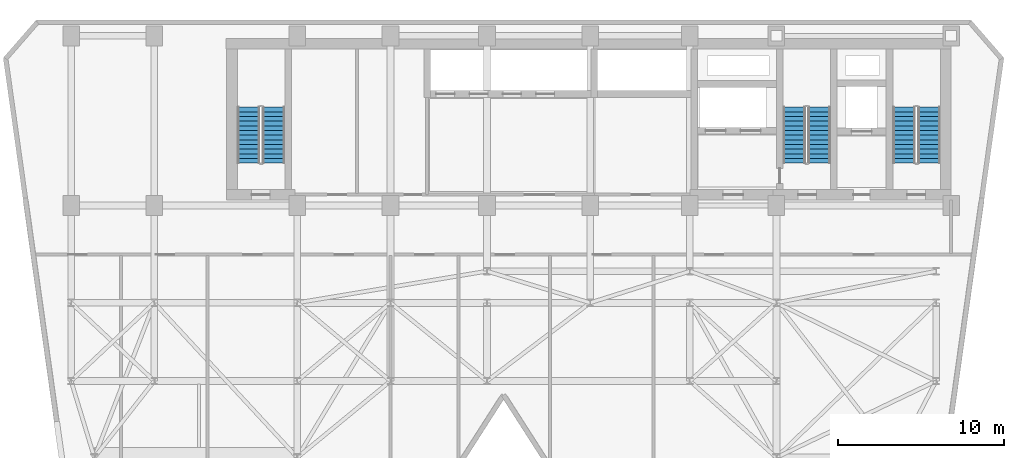
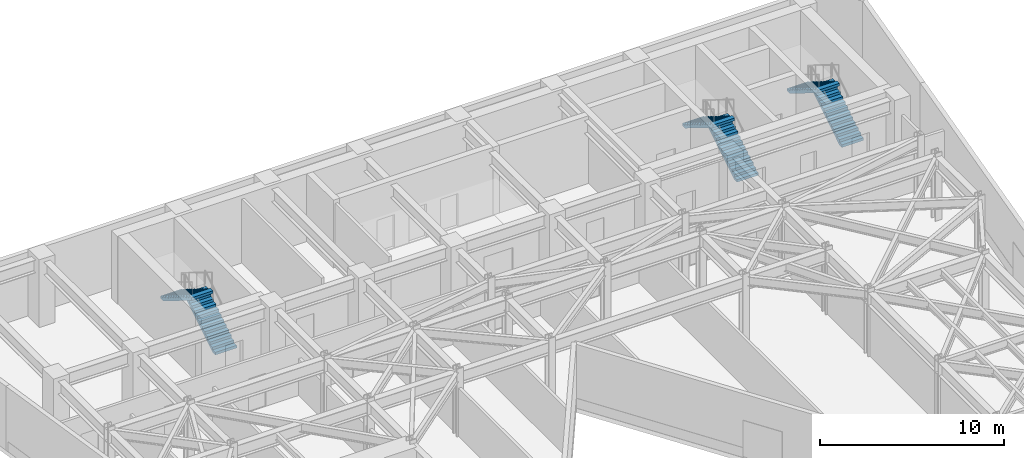
# One storey, part 5 of 8: 6 stair flights, 3 elements without a shape of their own.
"""IFC4 building model written with IfcOpenShell, lengths in metres."""

from ifc_helpers import new_model, si_unit, direction, frame, origin, place, context, subcontext, project, spatial, polyline, outline, extrude, material, layer, layer_set, type_object, element, aggregate, save


model = new_model("IFC4")

# Units and contexts
model_context = context("Model", 3, precision=1e-05, world=origin(), true_north=direction((0.0, 1.0)))
body_context = subcontext(model_context, "Body", "Model", "MODEL_VIEW")
ifc_project = project(units=[si_unit("LENGTHUNIT", "METRE"), si_unit("AREAUNIT", "SQUARE_METRE"), si_unit("VOLUMEUNIT", "CUBIC_METRE"), si_unit("PLANEANGLEUNIT", "RADIAN"), si_unit("MASSUNIT", "GRAM", prefix="KILO")], contexts=[model_context])

# Site, building, storey
site_placement = place(None, origin())
site = spatial("IfcSite", under=ifc_project, at=site_placement, CompositionType="ELEMENT")
building_placement = place(site_placement, origin())
building = spatial("IfcBuilding", under=site, at=building_placement, Name="Kravanh Interchange Tower", CompositionType="ELEMENT")
storey_placement = place(building_placement, frame((0.0, 0.0, 156.0)))
storey = spatial("IfcBuildingStorey", under=building, at=storey_placement, Name="L37", CompositionType="ELEMENT", Elevation=156.0)

# Stair, stair flights
ifc_material_1 = material(Name="Concrete C50/60", Category="concrete")
stair_type = type_object("IfcStairType", Name="Core Fire Exit Dogleg Stair Concrete C50/60", PredefinedType="HALF_TURN_STAIR", material=ifc_material_1)
stair_1_placement = place(storey_placement, origin())
stair_1 = element("IfcStair", 1, at=stair_1_placement, inside=storey, type_object=stair_type, Name="L37 Exit Stair ST1", PredefinedType="HALF_TURN_STAIR")
ifc_material_2 = material(Name="Precast Concrete C50/60", Category="concrete")
ifc_layer = layer(ifc_material_2, 0.199951171875)
ifc_layer_set = layer_set([ifc_layer], Name="Precast Concrete C50/60 Stair Flight 1350mm")
stair_flight_type = type_object("IfcStairFlightType", Name="Precast Concrete C50/60 Stair Flight 1350mm", PredefinedType="STRAIGHT", material=ifc_layer_set)
stair_flight_1_placement = place(storey_placement, frame((65.175048828125, 39.89990234375, 0.0), z_axis=(0.0, 0.0, 1.0), x_axis=(0.0, 1.0, 0.0)))
stair_flight_1 = element("IfcStairFlight", 2, at=stair_flight_1_placement, type_object=stair_flight_type, Name="ST1 flight 1", NumberOfRisers=13, NumberOfTreads=12, PredefinedType="STRAIGHT", RiserHeight=0.173076923, TreadLength=0.28, context=body_context, shape_type="SweptSolid", body=[
    extrude(outline(polyline([(0.0, 0.0), (0.0, 0.173095703125), (0.280029296875, 0.173095703125), (0.280029296875, 0.34619140625), (0.56005859375, 0.34619140625), (0.56005859375, 0.519287109375), (0.840087890625, 0.519287109375), (0.840087890625, 0.6923828125), (1.1201171875, 0.6923828125), (1.1201171875, 0.865478515625), (1.39990234375, 0.865478515625), (1.39990234375, 1.03857421875), (1.679931640625, 1.03857421875), (1.679931640625, 1.21142578125), (1.9599609375, 1.21142578125), (1.9599609375, 1.384521484375), (2.239990234375, 1.384521484375), (2.239990234375, 1.5576171875), (2.52001953125, 1.5576171875), (2.52001953125, 1.730712890625), (2.800048828125, 1.730712890625), (2.800048828125, 1.90380859375), (3.080078125, 1.90380859375), (3.080078125, 2.076904296875), (3.360107421875, 2.076904296875), (3.360107421875, 2.25), (3.360107421875, 1.900634765625), (0.28515625, 0.0), (0.0, 0.0)])), frame((0.0, 0.675048828125, 0.0), z_axis=(0.0, -1.0, 0.0), x_axis=(1.0, 0.0, 0.0)), (0.0, 0.0, 1.0), 1.35009765625),
])
stair_flight_2_placement = place(storey_placement, frame((63.675048828125, 43.260009765625, 2.25), z_axis=(0.0, 0.0, 1.0), x_axis=(0.0, -1.0, 0.0)))
stair_flight_2 = element("IfcStairFlight", 3, at=stair_flight_2_placement, type_object=stair_flight_type, Name="ST1 flight 2", NumberOfRisers=13, NumberOfTreads=12, PredefinedType="STRAIGHT", RiserHeight=0.173076923, TreadLength=0.28, context=body_context, shape_type="SweptSolid", body=[
    extrude(outline(polyline([(0.0, 0.0), (0.0, 0.173095703125), (0.280029296875, 0.173095703125), (0.280029296875, 0.34619140625), (0.56005859375, 0.34619140625), (0.56005859375, 0.519287109375), (0.840087890625, 0.519287109375), (0.840087890625, 0.6923828125), (1.1201171875, 0.6923828125), (1.1201171875, 0.865478515625), (1.39990234375, 0.865478515625), (1.39990234375, 1.03857421875), (1.679931640625, 1.03857421875), (1.679931640625, 1.21142578125), (1.9599609375, 1.21142578125), (1.9599609375, 1.384521484375), (2.239990234375, 1.384521484375), (2.239990234375, 1.5576171875), (2.52001953125, 1.5576171875), (2.52001953125, 1.730712890625), (2.800048828125, 1.730712890625), (2.800048828125, 1.90380859375), (3.080078125, 1.90380859375), (3.080078125, 2.076904296875), (3.360107421875, 2.076904296875), (3.360107421875, 2.25), (3.360107421875, 1.900634765625), (0.28515625, 0.0), (0.0, 0.0)])), frame((0.0, 0.675048828125, 0.0), z_axis=(0.0, -1.0, 0.0), x_axis=(1.0, 0.0, 0.0)), (0.0, 0.0, 1.0), 1.35009765625),
])
aggregate(stair_1, [stair_flight_1, stair_flight_2])

stair_2_placement = place(storey_placement, origin())
stair_2 = element("IfcStair", 4, at=stair_2_placement, inside=storey, type_object=stair_type, Name="L37 Exit Stair ST2", PredefinedType="HALF_TURN_STAIR")
stair_flight_3_placement = place(storey_placement, frame((58.574951171875, 39.89990234375, 0.0), z_axis=(0.0, 0.0, 1.0), x_axis=(0.0, 1.0, 0.0)))
stair_flight_3 = element("IfcStairFlight", 5, at=stair_flight_3_placement, type_object=stair_flight_type, Name="ST2 flight 1", NumberOfRisers=13, NumberOfTreads=12, PredefinedType="STRAIGHT", RiserHeight=0.173076923, TreadLength=0.28, context=body_context, shape_type="SweptSolid", body=[
    extrude(outline(polyline([(0.0, 0.0), (0.0, 0.173095703125), (0.280029296875, 0.173095703125), (0.280029296875, 0.34619140625), (0.56005859375, 0.34619140625), (0.56005859375, 0.519287109375), (0.840087890625, 0.519287109375), (0.840087890625, 0.6923828125), (1.1201171875, 0.6923828125), (1.1201171875, 0.865478515625), (1.39990234375, 0.865478515625), (1.39990234375, 1.03857421875), (1.679931640625, 1.03857421875), (1.679931640625, 1.21142578125), (1.9599609375, 1.21142578125), (1.9599609375, 1.384521484375), (2.239990234375, 1.384521484375), (2.239990234375, 1.5576171875), (2.52001953125, 1.5576171875), (2.52001953125, 1.730712890625), (2.800048828125, 1.730712890625), (2.800048828125, 1.90380859375), (3.080078125, 1.90380859375), (3.080078125, 2.076904296875), (3.360107421875, 2.076904296875), (3.360107421875, 2.25), (3.360107421875, 1.900634765625), (0.28515625, 0.0), (0.0, 0.0)])), frame((0.0, 0.675048828125, 0.0), z_axis=(0.0, -1.0, 0.0), x_axis=(1.0, 0.0, 0.0)), (0.0, 0.0, 1.0), 1.35009765625),
])
stair_flight_4_placement = place(storey_placement, frame((57.074951171875, 43.260009765625, 2.25), z_axis=(0.0, 0.0, 1.0), x_axis=(0.0, -1.0, 0.0)))
stair_flight_4 = element("IfcStairFlight", 6, at=stair_flight_4_placement, type_object=stair_flight_type, Name="ST2 flight 2", NumberOfRisers=13, NumberOfTreads=12, PredefinedType="STRAIGHT", RiserHeight=0.173076923, TreadLength=0.28, context=body_context, shape_type="SweptSolid", body=[
    extrude(outline(polyline([(0.0, 0.0), (0.0, 0.173095703125), (0.280029296875, 0.173095703125), (0.280029296875, 0.34619140625), (0.56005859375, 0.34619140625), (0.56005859375, 0.519287109375), (0.840087890625, 0.519287109375), (0.840087890625, 0.6923828125), (1.1201171875, 0.6923828125), (1.1201171875, 0.865478515625), (1.39990234375, 0.865478515625), (1.39990234375, 1.03857421875), (1.679931640625, 1.03857421875), (1.679931640625, 1.21142578125), (1.9599609375, 1.21142578125), (1.9599609375, 1.384521484375), (2.239990234375, 1.384521484375), (2.239990234375, 1.5576171875), (2.52001953125, 1.5576171875), (2.52001953125, 1.730712890625), (2.800048828125, 1.730712890625), (2.800048828125, 1.90380859375), (3.080078125, 1.90380859375), (3.080078125, 2.076904296875), (3.360107421875, 2.076904296875), (3.360107421875, 2.25), (3.360107421875, 1.900634765625), (0.28515625, 0.0), (0.0, 0.0)])), frame((0.0, 0.675048828125, 0.0), z_axis=(0.0, -1.0, 0.0), x_axis=(1.0, 0.0, 0.0)), (0.0, 0.0, 1.0), 1.35009765625),
])
aggregate(stair_2, [stair_flight_3, stair_flight_4])

stair_3_placement = place(storey_placement, origin())
stair_3 = element("IfcStair", 7, at=stair_3_placement, inside=storey, type_object=stair_type, Name="L37 Exit Stair ST3", PredefinedType="HALF_TURN_STAIR")
stair_flight_5_placement = place(storey_placement, frame((25.77490234375, 39.89990234375, 0.0), z_axis=(0.0, 0.0, 1.0), x_axis=(0.0, 1.0, 0.0)))
stair_flight_5 = element("IfcStairFlight", 8, at=stair_flight_5_placement, type_object=stair_flight_type, Name="ST3 flight 1", NumberOfRisers=13, NumberOfTreads=12, PredefinedType="STRAIGHT", RiserHeight=0.173076923, TreadLength=0.28, context=body_context, shape_type="SweptSolid", body=[
    extrude(outline(polyline([(0.0, 0.0), (0.0, 0.173095703125), (0.280029296875, 0.173095703125), (0.280029296875, 0.34619140625), (0.56005859375, 0.34619140625), (0.56005859375, 0.519287109375), (0.840087890625, 0.519287109375), (0.840087890625, 0.6923828125), (1.1201171875, 0.6923828125), (1.1201171875, 0.865478515625), (1.39990234375, 0.865478515625), (1.39990234375, 1.03857421875), (1.679931640625, 1.03857421875), (1.679931640625, 1.21142578125), (1.9599609375, 1.21142578125), (1.9599609375, 1.384521484375), (2.239990234375, 1.384521484375), (2.239990234375, 1.5576171875), (2.52001953125, 1.5576171875), (2.52001953125, 1.730712890625), (2.800048828125, 1.730712890625), (2.800048828125, 1.90380859375), (3.080078125, 1.90380859375), (3.080078125, 2.076904296875), (3.360107421875, 2.076904296875), (3.360107421875, 2.25), (3.360107421875, 1.900634765625), (0.28515625, 0.0), (0.0, 0.0)])), frame((0.0, 0.675048828125, 0.0), z_axis=(0.0, -1.0, 0.0), x_axis=(1.0, 0.0, 0.0)), (0.0, 0.0, 1.0), 1.35009765625),
])
stair_flight_6_placement = place(storey_placement, frame((24.27490234375, 43.260009765625, 2.25), z_axis=(0.0, 0.0, 1.0), x_axis=(0.0, -1.0, 0.0)))
stair_flight_6 = element("IfcStairFlight", 9, at=stair_flight_6_placement, type_object=stair_flight_type, Name="ST3 flight 2", NumberOfRisers=13, NumberOfTreads=12, PredefinedType="STRAIGHT", RiserHeight=0.173076923, TreadLength=0.28, context=body_context, shape_type="SweptSolid", body=[
    extrude(outline(polyline([(0.0, 0.0), (0.0, 0.173095703125), (0.280029296875, 0.173095703125), (0.280029296875, 0.34619140625), (0.56005859375, 0.34619140625), (0.56005859375, 0.519287109375), (0.840087890625, 0.519287109375), (0.840087890625, 0.6923828125), (1.1201171875, 0.6923828125), (1.1201171875, 0.865478515625), (1.39990234375, 0.865478515625), (1.39990234375, 1.03857421875), (1.679931640625, 1.03857421875), (1.679931640625, 1.21142578125), (1.9599609375, 1.21142578125), (1.9599609375, 1.384521484375), (2.239990234375, 1.384521484375), (2.239990234375, 1.5576171875), (2.52001953125, 1.5576171875), (2.52001953125, 1.730712890625), (2.800048828125, 1.730712890625), (2.800048828125, 1.90380859375), (3.080078125, 1.90380859375), (3.080078125, 2.076904296875), (3.360107421875, 2.076904296875), (3.360107421875, 2.25), (3.360107421875, 1.900634765625), (0.28515625, 0.0), (0.0, 0.0)])), frame((0.0, 0.675048828125, 0.0), z_axis=(0.0, -1.0, 0.0), x_axis=(1.0, 0.0, 0.0)), (0.0, 0.0, 1.0), 1.35009765625),
])
aggregate(stair_3, [stair_flight_5, stair_flight_6])

save(model, "model.ifc")
